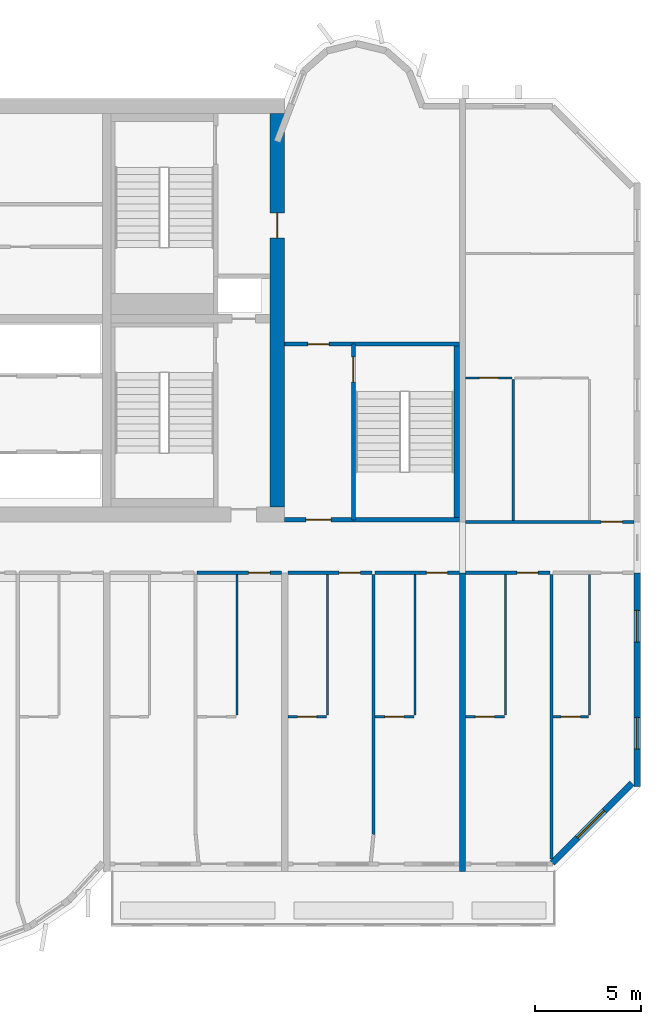
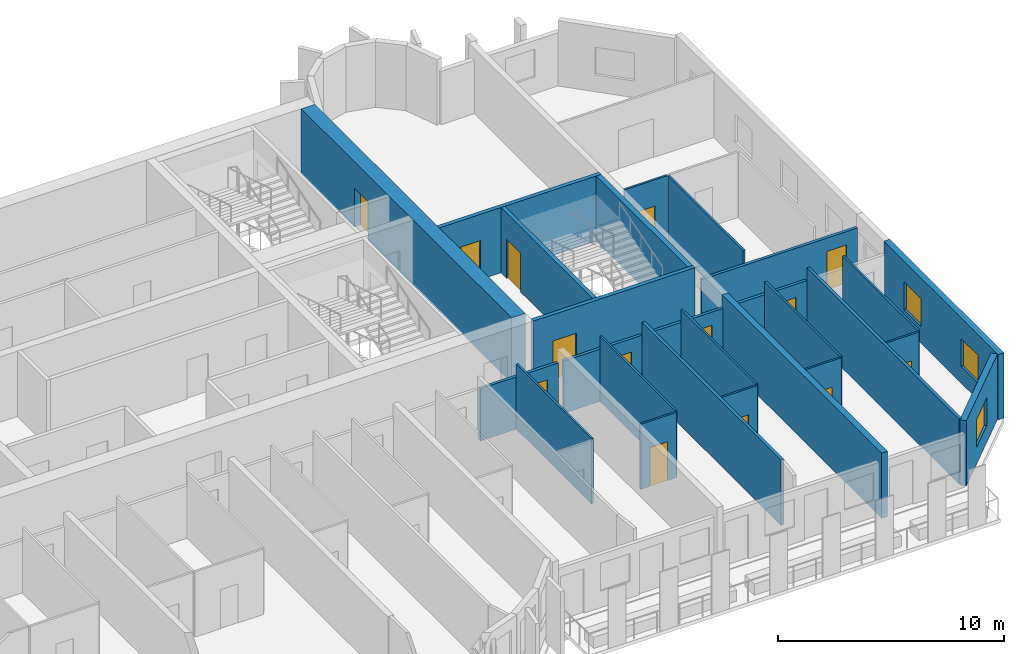
# One storey, part 8 of 13: 26 walls, 14 doors, 3 windows, 17 openings.
"""IFC4 building model written with IfcOpenShell, lengths in metres."""

from ifc_helpers import new_model, si_unit, direction, frame, frame_2d, origin, place, context, subcontext, project, spatial, rectangle, extrude, source, transform, mapped, material, layer, layer_set, type_object, element, fill, save


model = new_model("IFC4")

# Units and contexts
model_context = context("Model", 3, precision=1e-05, world=origin(), true_north=direction((0.0, 1.0)))
body_context = subcontext(model_context, "Body", "Model", "MODEL_VIEW")
ifc_project = project(units=[si_unit("LENGTHUNIT", "METRE"), si_unit("AREAUNIT", "SQUARE_METRE"), si_unit("VOLUMEUNIT", "CUBIC_METRE"), si_unit("PLANEANGLEUNIT", "RADIAN"), si_unit("MASSUNIT", "GRAM", prefix="KILO")], contexts=[model_context])

# Site, building, storey
site_placement = place(None, origin())
site = spatial("IfcSite", under=ifc_project, at=site_placement, CompositionType="ELEMENT")
building_placement = place(site_placement, origin())
building = spatial("IfcBuilding", under=site, at=building_placement, Name="Vanashikhar Sky Hotel", CompositionType="ELEMENT")
storey_placement = place(building_placement, frame((0.0, 0.0, 197.199951171875)))
storey = spatial("IfcBuildingStorey", under=building, at=storey_placement, Name="L48", CompositionType="ELEMENT", Elevation=197.199951171875)

# Wall, opening, door
ifc_material_1 = material(Name="Concrete M60", Category="concrete")
ifc_layer_1 = layer(ifc_material_1, 0.699951171875)
ifc_layer_set_1 = layer_set([ifc_layer_1], Name="RC core shell wall 700 Concrete M60")
wall_type_1 = type_object("IfcWallType", Name="RC core shell wall 700 Concrete M60", PredefinedType="SHEAR", material=ifc_layer_set_1)
shared_shape_1 = source(origin(), body_context, "Body", "SweptSolid", [
    extrude(rectangle(XDim=18.60009765625, YDim=0.699951171875, at=frame_2d((9.300048828125, 0.0))), origin(), (0.0, 0.0, 1.0), 3.52001953125),
])
wall_1_placement = place(storey_placement, frame((75.25, 22.699951171875, 0.0), z_axis=(0.0, 0.0, 1.0), x_axis=(0.0, 1.0, 0.0)))
wall_1 = element("IfcWall", 1, at=wall_1_placement, inside=storey, type_object=wall_type_1, Name="KW-L48-KE", PredefinedType="SHEAR", context=body_context, shape_type="MappedRepresentation", body=[
    mapped(shared_shape_1, transform((0.0, 0.0, 0.0), scale=1.0)),
])
shared_shape_2 = source(origin(), body_context, "Body", "SweptSolid", [
    extrude(rectangle(XDim=1.199951171875, YDim=2.10009765625, at=frame_2d((0.60009765625, 1.050048828125))), frame((0.0, 0.35986328125, 0.0), z_axis=(0.0, -1.0, 0.0), x_axis=(1.0, 0.0, 0.0)), (0.0, 0.0, 1.0), 0.719970703125),
])
opening_1_placement = place(wall_1_placement, frame((12.699951171875, 0.0, 0.0)))
opening_1 = element("IfcOpeningElement", 2, at=opening_1_placement, cuts=wall_1, Name="Opening DC-4-D", PredefinedType="OPENING", context=body_context, shape_type="MappedRepresentation", body=[
    mapped(shared_shape_2, transform((0.0, 0.0, 0.0), scale=1.0)),
])
ifc_material_2 = material(Name="Steel", Category="steel")
door_type_1 = type_object("IfcDoorType", Name="Service door 1200 FD120", OperationType="NOTDEFINED", PredefinedType="DOOR", material=ifc_material_2)
shared_shape_3 = source(origin(), body_context, "Body", "SweptSolid", [
    extrude(rectangle(XDim=1.199951171875, YDim=2.10009765625, at=frame_2d((0.60009765625, 1.050048828125))), frame((0.0, 0.02490234375, 0.0), z_axis=(0.0, -1.0, 0.0), x_axis=(1.0, 0.0, 0.0)), (0.0, 0.0, 1.0), 0.050048828125),
])
door_1_placement = place(opening_1_placement, origin())
door_1 = element("IfcDoor", 3, at=door_1_placement, inside=storey, type_object=door_type_1, Name="Service door 1200 FD120", OperationType="SINGLE_SWING_RIGHT", OverallHeight=2.10009765625, OverallWidth=1.199951171875, PredefinedType="DOOR", context=body_context, shape_type="MappedRepresentation", body=[
    mapped(shared_shape_3, transform((0.0, 0.0, 0.0), scale=1.0)),
])
fill(opening_1, door_1)

# Wall, openings, windows
ifc_layer_2 = layer(ifc_material_1, 0.300048828125)
ifc_layer_set_2 = layer_set([ifc_layer_2], Name="RC shear wall 300 Concrete M60")
wall_type_2 = type_object("IfcWallType", Name="RC shear wall 300 Concrete M60", PredefinedType="SHEAR", material=ifc_layer_set_2)
shared_shape_4 = source(origin(), body_context, "Body", "SweptSolid", [
    extrude(rectangle(XDim=10.10009765625, YDim=0.300048828125, at=frame_2d((5.050048828125, 0.0))), origin(), (0.0, 0.0, 1.0), 3.52001953125),
])
wall_2_placement = place(storey_placement, frame((92.25, 9.5, 0.0), z_axis=(0.0, 0.0, 1.0), x_axis=(0.0, 1.0, 0.0)))
wall_2 = element("IfcWall", 4, at=wall_2_placement, inside=storey, type_object=wall_type_2, Name="CW-L48-XW12-1", PredefinedType="SHEAR", context=body_context, shape_type="MappedRepresentation", body=[
    mapped(shared_shape_4, transform((0.0, 0.0, 0.0), scale=1.0)),
])
shared_shape_5 = source(origin(), body_context, "Body", "SweptSolid", [
    extrude(rectangle(XDim=1.5, YDim=1.5, at=frame_2d((0.75, 0.75))), frame((0.0, 0.16015625, 0.0), z_axis=(0.0, -1.0, 0.0), x_axis=(1.0, 0.0, 0.0)), (0.0, 0.0, 1.0), 0.320068359375),
])
opening_2_placement = place(wall_2_placement, frame((1.77490234375, 0.0, 0.89990234375)))
opening_2 = element("IfcOpeningElement", 5, at=opening_2_placement, cuts=wall_2, Name="Opening WN-1", PredefinedType="OPENING", context=body_context, shape_type="MappedRepresentation", body=[
    mapped(shared_shape_5, transform((0.0, 0.0, 0.0), scale=1.0)),
])
opening_3_placement = place(wall_2_placement, frame((6.824951171875, 0.0, 0.89990234375)))
opening_3 = element("IfcOpeningElement", 6, at=opening_3_placement, cuts=wall_2, Name="Opening WN-1", PredefinedType="OPENING", context=body_context, shape_type="MappedRepresentation", body=[
    mapped(shared_shape_5, transform((0.0, 0.0, 0.0), scale=1.0)),
])
ifc_material_3 = material(Name="Glass", Category="glass")
window_type_1 = type_object("IfcWindowType", Name="Window 1500 x 1500", PartitioningType="SINGLE_PANEL", PredefinedType="WINDOW", material=ifc_material_3)
shared_shape_6 = source(origin(), body_context, "Body", "SweptSolid", [
    extrude(rectangle(XDim=1.5, YDim=1.5, at=frame_2d((0.75, 0.75))), frame((0.0, 0.030029296875, 0.0), z_axis=(0.0, -1.0, 0.0), x_axis=(1.0, 0.0, 0.0)), (0.0, 0.0, 1.0), 0.06005859375),
])
window_1_placement = place(opening_2_placement, origin())
window_1 = element("IfcWindow", 7, at=window_1_placement, inside=storey, type_object=window_type_1, Name="Window WN-1", OverallHeight=1.5, OverallWidth=1.5, PartitioningType="SINGLE_PANEL", PredefinedType="WINDOW", context=body_context, shape_type="MappedRepresentation", body=[
    mapped(shared_shape_6, transform((0.0, 0.0, 0.0), scale=1.0)),
])
fill(opening_2, window_1)
window_2_placement = place(opening_3_placement, origin())
window_2 = element("IfcWindow", 8, at=window_2_placement, inside=storey, type_object=window_type_1, Name="Window WN-1", OverallHeight=1.5, OverallWidth=1.5, PartitioningType="SINGLE_PANEL", PredefinedType="WINDOW", context=body_context, shape_type="MappedRepresentation", body=[
    mapped(shared_shape_6, transform((0.0, 0.0, 0.0), scale=1.0)),
])
fill(opening_3, window_2)

# Wall
shared_shape_7 = source(origin(), body_context, "Body", "SweptSolid", [
    extrude(rectangle(XDim=14.10009765625, YDim=0.300048828125, at=frame_2d((7.050048828125, 0.0))), origin(), (0.0, 0.0, 1.0), 3.52001953125),
])
wall_3_placement = place(storey_placement, frame((84.0, 5.5, 0.0), z_axis=(0.0, 0.0, 1.0), x_axis=(0.0, 1.0, 0.0)))
element("IfcWall", 9, at=wall_3_placement, inside=storey, type_object=wall_type_2, Name="CW-L48-XW11-1", PredefinedType="SHEAR", context=body_context, shape_type="MappedRepresentation", body=[
    mapped(shared_shape_7, transform((0.0, 0.0, 0.0), scale=1.0)),
])

# Wall, opening, window
ifc_material_4 = material(Name="Concrete M50", Category="concrete")
ifc_layer_3 = layer(ifc_material_4, 0.300048828125)
ifc_layer_set_3 = layer_set([ifc_layer_3], Name="Lobe wall 300")
wall_type_3 = type_object("IfcWallType", Name="Lobe wall 300", PredefinedType="SOLIDWALL", material=ifc_layer_set_3)
shared_shape_8 = source(origin(), body_context, "Body", "SweptSolid", [
    extrude(rectangle(XDim=5.32568359375, YDim=0.300048828125, at=frame_2d((2.662841796875, 0.0))), origin(), (0.0, 0.0, 1.0), 3.52001953125),
])
wall_4_placement = place(storey_placement, frame((88.234375, 5.89990234375, 0.0), z_axis=(0.0, 0.0, 1.0), x_axis=(0.707083859269, 0.707129702361, 0.0)))
wall_4 = element("IfcWall", 10, at=wall_4_placement, inside=storey, type_object=wall_type_3, Name="Corner wall", PredefinedType="SOLIDWALL", context=body_context, shape_type="MappedRepresentation", body=[
    mapped(shared_shape_8, transform((0.0, 0.0, 0.0), scale=1.0)),
])
shared_shape_9 = source(origin(), body_context, "Body", "SweptSolid", [
    extrude(rectangle(XDim=1.800048828125, YDim=1.5, at=frame_2d((0.89990234375, 0.75))), frame((0.0, 0.16015625, 0.0), z_axis=(0.0, -1.0, 0.0), x_axis=(1.0, 0.0, 0.0)), (0.0, 0.0, 1.0), 0.320068359375),
])
opening_4_placement = place(wall_4_placement, frame((1.689453125, 0.0, 0.89990234375)))
opening_4 = element("IfcOpeningElement", 11, at=opening_4_placement, cuts=wall_4, Name="Opening WN-4", PredefinedType="OPENING", context=body_context, shape_type="MappedRepresentation", body=[
    mapped(shared_shape_9, transform((0.0, 0.0, 0.0), scale=1.0)),
])
window_type_2 = type_object("IfcWindowType", Name="Corner window 1800 x 1500", PartitioningType="SINGLE_PANEL", PredefinedType="WINDOW", material=ifc_material_3)
shared_shape_10 = source(origin(), body_context, "Body", "SweptSolid", [
    extrude(rectangle(XDim=1.800048828125, YDim=1.5, at=frame_2d((0.89990234375, 0.75))), frame((0.0, 0.030029296875, 0.0), z_axis=(0.0, -1.0, 0.0), x_axis=(1.0, 0.0, 0.0)), (0.0, 0.0, 1.0), 0.06005859375),
])
window_3_placement = place(opening_4_placement, origin())
window_3 = element("IfcWindow", 12, at=window_3_placement, inside=storey, type_object=window_type_2, Name="Window WN-4", OverallHeight=1.5, OverallWidth=1.800048828125, PartitioningType="SINGLE_PANEL", PredefinedType="WINDOW", context=body_context, shape_type="MappedRepresentation", body=[
    mapped(shared_shape_10, transform((0.0, 0.0, 0.0), scale=1.0)),
])
fill(opening_4, window_3)

# Wall, opening, door
ifc_layer_4 = layer(ifc_material_4, 0.199951171875)
ifc_layer_set_4 = layer_set([ifc_layer_4], Name="Stair wall 200")
wall_type_4 = type_object("IfcWallType", Name="Stair wall 200", PredefinedType="SOLIDWALL", material=ifc_layer_set_4)
shared_shape_11 = source(origin(), body_context, "Body", "SweptSolid", [
    extrude(rectangle(XDim=8.2998046875, YDim=0.199951171875, at=frame_2d((4.14990234375, 0.0))), origin(), (0.0, 0.0, 1.0), 3.52001953125),
])
wall_5_placement = place(storey_placement, frame((78.85009765625, 22.10009765625, 0.0), z_axis=(0.0, 0.0, 1.0), x_axis=(0.0, 1.0, 0.0)))
wall_5 = element("IfcWall", 13, at=wall_5_placement, inside=storey, type_object=wall_type_4, Name="Stair wall 200", PredefinedType="SOLIDWALL", context=body_context, shape_type="MappedRepresentation", body=[
    mapped(shared_shape_11, transform((0.0, 0.0, 0.0), scale=1.0)),
])
shared_shape_12 = source(origin(), body_context, "Body", "SweptSolid", [
    extrude(rectangle(XDim=1.199951171875, YDim=2.10009765625, at=frame_2d((0.60009765625, 1.050048828125))), frame((0.0, 0.10986328125, 0.0), z_axis=(0.0, -1.0, 0.0), x_axis=(1.0, 0.0, 0.0)), (0.0, 0.0, 1.0), 0.219970703125),
])
opening_5_placement = place(wall_5_placement, frame((6.5, 0.0, 0.0)))
opening_5 = element("IfcOpeningElement", 14, at=opening_5_placement, cuts=wall_5, Name="Opening DC-1", PredefinedType="OPENING", context=body_context, shape_type="MappedRepresentation", body=[
    mapped(shared_shape_12, transform((0.0, 0.0, 0.0), scale=1.0)),
])
door_type_2 = type_object("IfcDoorType", Name="Stair door 1200 FD120", OperationType="NOTDEFINED", PredefinedType="DOOR", material=ifc_material_2)
door_2_placement = place(opening_5_placement, origin())
door_2 = element("IfcDoor", 15, at=door_2_placement, inside=storey, type_object=door_type_2, Name="Stair door 1200 FD120", OperationType="SINGLE_SWING_RIGHT", OverallHeight=2.10009765625, OverallWidth=1.199951171875, PredefinedType="DOOR", context=body_context, shape_type="MappedRepresentation", body=[
    mapped(shared_shape_3, transform((0.0, 0.0, 0.0), scale=1.0)),
])
fill(opening_5, door_2)

shared_shape_13 = source(origin(), body_context, "Body", "SweptSolid", [
    extrude(rectangle(XDim=8.25, YDim=0.199951171875, at=frame_2d((4.125, 0.0))), origin(), (0.0, 0.0, 1.0), 3.52001953125),
])
wall_6_placement = place(storey_placement, frame((83.85009765625, 22.10009765625, 0.0), z_axis=(0.0, 0.0, 1.0), x_axis=(-1.0, 0.0, 0.0)))
wall_6 = element("IfcWall", 16, at=wall_6_placement, inside=storey, type_object=wall_type_4, Name="Stair wall 200", PredefinedType="SOLIDWALL", context=body_context, shape_type="MappedRepresentation", body=[
    mapped(shared_shape_13, transform((0.0, 0.0, 0.0), scale=1.0)),
])
opening_6_placement = place(wall_6_placement, frame((6.050048828125, 0.0, 0.0)))
opening_6 = element("IfcOpeningElement", 17, at=opening_6_placement, cuts=wall_6, Name="Opening DC-2", PredefinedType="OPENING", context=body_context, shape_type="MappedRepresentation", body=[
    mapped(shared_shape_12, transform((0.0, 0.0, 0.0), scale=1.0)),
])
door_type_3 = type_object("IfcDoorType", Name="Firefighting lobby door 1200 FD120", OperationType="NOTDEFINED", PredefinedType="DOOR", material=ifc_material_2)
door_3_placement = place(opening_6_placement, origin())
door_3 = element("IfcDoor", 18, at=door_3_placement, inside=storey, type_object=door_type_3, Name="Firefighting lobby door 1200 FD120", OperationType="SINGLE_SWING_RIGHT", OverallHeight=2.10009765625, OverallWidth=1.199951171875, PredefinedType="DOOR", context=body_context, shape_type="MappedRepresentation", body=[
    mapped(shared_shape_3, transform((0.0, 0.0, 0.0), scale=1.0)),
])
fill(opening_6, door_3)

wall_7_placement = place(storey_placement, frame((83.85009765625, 30.39990234375, 0.0), z_axis=(0.0, 0.0, 1.0), x_axis=(-1.0, 0.0, 0.0)))
wall_7 = element("IfcWall", 19, at=wall_7_placement, inside=storey, type_object=wall_type_4, Name="Stair wall 200", PredefinedType="SOLIDWALL", context=body_context, shape_type="MappedRepresentation", body=[
    mapped(shared_shape_13, transform((0.0, 0.0, 0.0), scale=1.0)),
])
shared_shape_14 = source(origin(), body_context, "Body", "SweptSolid", [
    extrude(rectangle(XDim=1.0, YDim=2.10009765625, at=frame_2d((0.5, 1.050048828125))), frame((0.0, 0.10986328125, 0.0), z_axis=(0.0, -1.0, 0.0), x_axis=(1.0, 0.0, 0.0)), (0.0, 0.0, 1.0), 0.219970703125),
])
opening_7_placement = place(wall_7_placement, frame((6.14990234375, 0.0, 0.0)))
opening_7 = element("IfcOpeningElement", 20, at=opening_7_placement, cuts=wall_7, Name="Opening DC-6", PredefinedType="OPENING", context=body_context, shape_type="MappedRepresentation", body=[
    mapped(shared_shape_14, transform((0.0, 0.0, 0.0), scale=1.0)),
])
door_type_4 = type_object("IfcDoorType", Name="Pocket door 1000 FD60", OperationType="NOTDEFINED", PredefinedType="DOOR", material=ifc_material_2)
shared_shape_15 = source(origin(), body_context, "Body", "SweptSolid", [
    extrude(rectangle(XDim=1.0, YDim=2.10009765625, at=frame_2d((0.5, 1.050048828125))), frame((0.0, 0.02490234375, 0.0), z_axis=(0.0, -1.0, 0.0), x_axis=(1.0, 0.0, 0.0)), (0.0, 0.0, 1.0), 0.050048828125),
])
door_4_placement = place(opening_7_placement, origin())
door_4 = element("IfcDoor", 21, at=door_4_placement, inside=storey, type_object=door_type_4, Name="Pocket door 1000 FD60", OperationType="SINGLE_SWING_RIGHT", OverallHeight=2.10009765625, OverallWidth=1.0, PredefinedType="DOOR", context=body_context, shape_type="MappedRepresentation", body=[
    mapped(shared_shape_15, transform((0.0, 0.0, 0.0), scale=1.0)),
])
fill(opening_7, door_4)

# Wall
ifc_layer_5 = layer(ifc_material_4, 0.25)
ifc_layer_set_5 = layer_set([ifc_layer_5], Name="Stair infill wall 250")
wall_type_5 = type_object("IfcWallType", Name="Stair infill wall 250", PredefinedType="SOLIDWALL", material=ifc_layer_set_5)
shared_shape_16 = source(origin(), body_context, "Body", "SweptSolid", [
    extrude(rectangle(XDim=8.10009765625, YDim=0.25, at=frame_2d((4.050048828125, 0.0))), origin(), (0.0, 0.0, 1.0), 3.52001953125),
])
wall_8_placement = place(storey_placement, frame((83.72509765625, 22.199951171875, 0.0), z_axis=(0.0, 0.0, 1.0), x_axis=(0.0, 1.0, 0.0)))
element("IfcWall", 22, at=wall_8_placement, inside=storey, type_object=wall_type_5, Name="Stair infill wall 250", PredefinedType="SOLIDWALL", context=body_context, shape_type="MappedRepresentation", body=[
    mapped(shared_shape_16, transform((0.0, 0.0, 0.0), scale=1.0)),
])

# Wall, opening, door
ifc_material_5 = material(Name="Gypsum plasterboard partition")
ifc_layer_6 = layer(ifc_material_5, 0.10009765625)
ifc_layer_set_6 = layer_set([ifc_layer_6], Name="Wet room partition 100")
wall_type_6 = type_object("IfcWallType", Name="Wet room partition 100", PredefinedType="PARTITIONING", material=ifc_layer_set_6)
shared_shape_17 = source(origin(), body_context, "Body", "SweptSolid", [
    extrude(rectangle(XDim=1.824951171875, YDim=0.10009765625, at=frame_2d((0.91259765625, 0.0))), origin(), (0.0, 0.0, 1.0), 3.52001953125),
])
wall_9_placement = place(storey_placement, frame((75.75, 12.800048828125, 0.0), z_axis=(0.0, 0.0, 1.0), x_axis=(1.0, 0.0, 0.0)))
wall_9 = element("IfcWall", 23, at=wall_9_placement, inside=storey, type_object=wall_type_6, Name="W-L48-PW038", PredefinedType="PARTITIONING", context=body_context, shape_type="MappedRepresentation", body=[
    mapped(shared_shape_17, transform((0.0, 0.0, 0.0), scale=1.0)),
])
shared_shape_18 = source(origin(), body_context, "Body", "SweptSolid", [
    extrude(rectangle(XDim=0.89990234375, YDim=2.10009765625, at=frame_2d((0.449951171875, 1.050048828125))), frame((0.0, 0.06005859375, 0.0), z_axis=(0.0, -1.0, 0.0), x_axis=(1.0, 0.0, 0.0)), (0.0, 0.0, 1.0), 0.1201171875),
])
opening_8_placement = place(wall_9_placement, frame((0.4619140625, 0.0, 0.0)))
opening_8 = element("IfcOpeningElement", 24, at=opening_8_placement, cuts=wall_9, Name="Opening D-02", PredefinedType="OPENING", context=body_context, shape_type="MappedRepresentation", body=[
    mapped(shared_shape_18, transform((0.0, 0.0, 0.0), scale=1.0)),
])
ifc_material_6 = material(Name="Timber door", Category="wood")
door_type_5 = type_object("IfcDoorType", Name="Internal door 900", OperationType="NOTDEFINED", PredefinedType="DOOR", material=ifc_material_6)
shared_shape_19 = source(origin(), body_context, "Body", "SweptSolid", [
    extrude(rectangle(XDim=0.89990234375, YDim=2.10009765625, at=frame_2d((0.449951171875, 1.050048828125))), frame((0.0, 0.02490234375, 0.0), z_axis=(0.0, -1.0, 0.0), x_axis=(1.0, 0.0, 0.0)), (0.0, 0.0, 1.0), 0.050048828125),
])
door_5_placement = place(opening_8_placement, origin())
door_5 = element("IfcDoor", 25, at=door_5_placement, inside=storey, type_object=door_type_5, Name="D-L48-023", OperationType="SINGLE_SWING_RIGHT", OverallHeight=2.10009765625, OverallWidth=0.89990234375, PredefinedType="DOOR", context=body_context, shape_type="MappedRepresentation", body=[
    mapped(shared_shape_19, transform((0.0, 0.0, 0.0), scale=1.0)),
])
fill(opening_8, door_5)

wall_10_placement = place(storey_placement, frame((79.875, 12.800048828125, 0.0), z_axis=(0.0, 0.0, 1.0), x_axis=(1.0, 0.0, 0.0)))
wall_10 = element("IfcWall", 26, at=wall_10_placement, inside=storey, type_object=wall_type_6, Name="W-L48-PW041", PredefinedType="PARTITIONING", context=body_context, shape_type="MappedRepresentation", body=[
    mapped(shared_shape_17, transform((0.0, 0.0, 0.0), scale=1.0)),
])
opening_9_placement = place(wall_10_placement, frame((0.4619140625, 0.0, 0.0)))
opening_9 = element("IfcOpeningElement", 27, at=opening_9_placement, cuts=wall_10, Name="Opening D-02", PredefinedType="OPENING", context=body_context, shape_type="MappedRepresentation", body=[
    mapped(shared_shape_18, transform((0.0, 0.0, 0.0), scale=1.0)),
])
door_6_placement = place(opening_9_placement, origin())
door_6 = element("IfcDoor", 28, at=door_6_placement, inside=storey, type_object=door_type_5, Name="D-L48-025", OperationType="SINGLE_SWING_RIGHT", OverallHeight=2.10009765625, OverallWidth=0.89990234375, PredefinedType="DOOR", context=body_context, shape_type="MappedRepresentation", body=[
    mapped(shared_shape_19, transform((0.0, 0.0, 0.0), scale=1.0)),
])
fill(opening_9, door_6)

ifc_layer_7 = layer(ifc_material_5, 0.14990234375)
ifc_layer_set_7 = layer_set([ifc_layer_7], Name="Corridor and demising partition 150")
wall_type_7 = type_object("IfcWallType", Name="Corridor and demising partition 150", PredefinedType="PARTITIONING", material=ifc_layer_set_7)
shared_shape_20 = source(origin(), body_context, "Body", "SweptSolid", [
    extrude(rectangle(XDim=7.9501953125, YDim=0.14990234375, at=frame_2d((3.97509765625, 0.0))), origin(), (0.0, 0.0, 1.0), 2.820068359375),
])
wall_11_placement = place(storey_placement, frame((84.14990234375, 22.0, 0.0), z_axis=(0.0, 0.0, 1.0), x_axis=(1.0, 0.0, 0.0)))
wall_11 = element("IfcWall", 29, at=wall_11_placement, inside=storey, type_object=wall_type_7, Name="W-L48-PW063", PredefinedType="PARTITIONING", context=body_context, shape_type="MappedRepresentation", body=[
    mapped(shared_shape_20, transform((0.0, 0.0, 0.0), scale=1.0)),
])
shared_shape_21 = source(origin(), body_context, "Body", "SweptSolid", [
    extrude(rectangle(XDim=1.0, YDim=2.10009765625, at=frame_2d((0.5, 1.050048828125))), frame((0.0, 0.0849609375, 0.0), z_axis=(0.0, -1.0, 0.0), x_axis=(1.0, 0.0, 0.0)), (0.0, 0.0, 1.0), 0.169921875),
])
opening_10_placement = place(wall_11_placement, frame((6.39990234375, 0.0, 0.0)))
opening_10 = element("IfcOpeningElement", 30, at=opening_10_placement, cuts=wall_11, Name="Opening D-01", PredefinedType="OPENING", context=body_context, shape_type="MappedRepresentation", body=[
    mapped(shared_shape_21, transform((0.0, 0.0, 0.0), scale=1.0)),
])
ifc_material_7 = material(Name="Timber fire door", Category="wood")
door_type_6 = type_object("IfcDoorType", Name="Guest entry door 1000 FD30S", OperationType="NOTDEFINED", PredefinedType="DOOR", material=ifc_material_7)
door_7_placement = place(opening_10_placement, origin())
door_7 = element("IfcDoor", 31, at=door_7_placement, inside=storey, type_object=door_type_6, Name="D-L48-037", OperationType="SINGLE_SWING_RIGHT", OverallHeight=2.10009765625, OverallWidth=1.0, PredefinedType="DOOR", context=body_context, shape_type="MappedRepresentation", body=[
    mapped(shared_shape_15, transform((0.0, 0.0, 0.0), scale=1.0)),
])
fill(opening_10, door_7)

# Walls
shared_shape_22 = source(origin(), body_context, "Body", "SweptSolid", [
    extrude(rectangle(XDim=6.64990234375, YDim=0.10009765625, at=frame_2d((3.324951171875, 0.0))), origin(), (0.0, 0.0, 1.0), 3.52001953125),
])
for number, where, z_axis, x_axis, name in (
    (32, (73.35009765625, 12.875, 0.0), (0.0, 0.0, 1.0), (0.0, 1.0, 0.0), "W-L48-PW033"),
    (33, (77.625, 12.875, 0.0), (0.0, 0.0, 1.0), (0.0, 1.0, 0.0), "W-L48-PW037"),
    (34, (81.75, 12.875, 0.0), (0.0, 0.0, 1.0), (0.0, 1.0, 0.0), "W-L48-PW040"),
    (35, (86.02490234375, 12.875, 0.0), (0.0, 0.0, 1.0), (0.0, 1.0, 0.0), "W-L48-PW044"),
    (36, (90.0, 12.875, 0.0), (0.0, 0.0, 1.0), (0.0, 1.0, 0.0), "W-L48-PW047"),
):
    element("IfcWall", number, at=place(storey_placement, frame(where, z_axis=z_axis, x_axis=x_axis)), inside=storey, type_object=wall_type_6, Name=name, PredefinedType="PARTITIONING", context=body_context, shape_type="MappedRepresentation", body=[
        mapped(shared_shape_22, transform((0.0, 0.0, 0.0), scale=1.0)),
    ])
shared_shape_23 = source(origin(), body_context, "Body", "SweptSolid", [
    extrude(rectangle(XDim=6.650146484375, YDim=0.10009765625, at=frame_2d((3.3251953125, 0.0))), origin(), (0.0, 0.0, 1.0), 3.52001953125),
])
wall_12_placement = place(storey_placement, frame((86.39990234375, 22.074951171875, 0.0), z_axis=(0.0, 0.0, 1.0), x_axis=(0.0, 1.0, 0.0)))
element("IfcWall", 37, at=wall_12_placement, inside=storey, type_object=wall_type_6, Name="W-L48-PW059", PredefinedType="PARTITIONING", context=body_context, shape_type="MappedRepresentation", body=[
    mapped(shared_shape_23, transform((0.0, 0.0, 0.0), scale=1.0)),
])
shared_shape_24 = source(origin(), body_context, "Body", "SweptSolid", [
    extrude(rectangle(XDim=13.447021484375, YDim=0.14990234375, at=frame_2d((6.7236328125, 0.0))), origin(), (0.0, 0.0, 1.0), 3.52001953125),
])
wall_13_placement = place(storey_placement, frame((88.199951171875, 6.077880859375, 0.0), z_axis=(0.0, 0.0, 1.0), x_axis=(0.0, 1.0, 0.0)))
element("IfcWall", 38, at=wall_13_placement, inside=storey, type_object=wall_type_7, Name="W-L48-PW050", PredefinedType="PARTITIONING", context=body_context, shape_type="MappedRepresentation", body=[
    mapped(shared_shape_24, transform((0.0, 0.0, 0.0), scale=1.0)),
])
shared_shape_25 = source(origin(), body_context, "Body", "SweptSolid", [
    extrude(rectangle(XDim=12.27490234375, YDim=0.14990234375, at=frame_2d((6.137451171875, 0.0))), origin(), (0.0, 0.0, 1.0), 3.52001953125),
])
wall_14_placement = place(storey_placement, frame((79.800048828125, 7.25, 0.0), z_axis=(0.0, 0.0, 1.0), x_axis=(0.0, 1.0, 0.0)))
element("IfcWall", 39, at=wall_14_placement, inside=storey, type_object=wall_type_7, Name="W-L48-PW043", PredefinedType="PARTITIONING", context=body_context, shape_type="MappedRepresentation", body=[
    mapped(shared_shape_25, transform((0.0, 0.0, 0.0), scale=1.0)),
])

# Wall, opening, door
shared_shape_26 = source(origin(), body_context, "Body", "SweptSolid", [
    extrude(rectangle(XDim=3.974853515625, YDim=0.14990234375, at=frame_2d((1.9873046875, 0.0))), origin(), (0.0, 0.0, 1.0), 2.820068359375),
])
wall_15_placement = place(storey_placement, frame((71.47509765625, 19.60009765625, 0.0), z_axis=(0.0, 0.0, 1.0), x_axis=(1.0, 0.0, 0.0)))
wall_15 = element("IfcWall", 40, at=wall_15_placement, inside=storey, type_object=wall_type_7, Name="W-L48-PW035", PredefinedType="PARTITIONING", context=body_context, shape_type="MappedRepresentation", body=[
    mapped(shared_shape_26, transform((0.0, 0.0, 0.0), scale=1.0)),
])
opening_11_placement = place(wall_15_placement, frame((2.425048828125, 0.0, 0.0)))
opening_11 = element("IfcOpeningElement", 41, at=opening_11_placement, cuts=wall_15, Name="Opening D-01", PredefinedType="OPENING", context=body_context, shape_type="MappedRepresentation", body=[
    mapped(shared_shape_21, transform((0.0, 0.0, 0.0), scale=1.0)),
])
door_8_placement = place(opening_11_placement, origin())
door_8 = element("IfcDoor", 42, at=door_8_placement, inside=storey, type_object=door_type_6, Name="D-L48-022", OperationType="SINGLE_SWING_RIGHT", OverallHeight=2.10009765625, OverallWidth=1.0, PredefinedType="DOOR", context=body_context, shape_type="MappedRepresentation", body=[
    mapped(shared_shape_15, transform((0.0, 0.0, 0.0), scale=1.0)),
])
fill(opening_11, door_8)

shared_shape_27 = source(origin(), body_context, "Body", "SweptSolid", [
    extrude(rectangle(XDim=3.97509765625, YDim=0.14990234375, at=frame_2d((1.987548828125, 0.0))), origin(), (0.0, 0.0, 1.0), 2.820068359375),
])
wall_16_placement = place(storey_placement, frame((75.75, 19.60009765625, 0.0), z_axis=(0.0, 0.0, 1.0), x_axis=(1.0, 0.0, 0.0)))
wall_16 = element("IfcWall", 43, at=wall_16_placement, inside=storey, type_object=wall_type_7, Name="W-L48-PW039", PredefinedType="PARTITIONING", context=body_context, shape_type="MappedRepresentation", body=[
    mapped(shared_shape_27, transform((0.0, 0.0, 0.0), scale=1.0)),
])
opening_12_placement = place(wall_16_placement, frame((2.425048828125, 0.0, 0.0)))
opening_12 = element("IfcOpeningElement", 44, at=opening_12_placement, cuts=wall_16, Name="Opening D-01", PredefinedType="OPENING", context=body_context, shape_type="MappedRepresentation", body=[
    mapped(shared_shape_21, transform((0.0, 0.0, 0.0), scale=1.0)),
])
door_9_placement = place(opening_12_placement, origin())
door_9 = element("IfcDoor", 45, at=door_9_placement, inside=storey, type_object=door_type_6, Name="D-L48-024", OperationType="SINGLE_SWING_RIGHT", OverallHeight=2.10009765625, OverallWidth=1.0, PredefinedType="DOOR", context=body_context, shape_type="MappedRepresentation", body=[
    mapped(shared_shape_15, transform((0.0, 0.0, 0.0), scale=1.0)),
])
fill(opening_12, door_9)

wall_17_placement = place(storey_placement, frame((79.875, 19.60009765625, 0.0), z_axis=(0.0, 0.0, 1.0), x_axis=(1.0, 0.0, 0.0)))
wall_17 = element("IfcWall", 46, at=wall_17_placement, inside=storey, type_object=wall_type_7, Name="W-L48-PW042", PredefinedType="PARTITIONING", context=body_context, shape_type="MappedRepresentation", body=[
    mapped(shared_shape_27, transform((0.0, 0.0, 0.0), scale=1.0)),
])
opening_13_placement = place(wall_17_placement, frame((2.425048828125, 0.0, 0.0)))
opening_13 = element("IfcOpeningElement", 47, at=opening_13_placement, cuts=wall_17, Name="Opening D-01", PredefinedType="OPENING", context=body_context, shape_type="MappedRepresentation", body=[
    mapped(shared_shape_21, transform((0.0, 0.0, 0.0), scale=1.0)),
])
door_10_placement = place(opening_13_placement, origin())
door_10 = element("IfcDoor", 48, at=door_10_placement, inside=storey, type_object=door_type_6, Name="D-L48-026", OperationType="SINGLE_SWING_RIGHT", OverallHeight=2.10009765625, OverallWidth=1.0, PredefinedType="DOOR", context=body_context, shape_type="MappedRepresentation", body=[
    mapped(shared_shape_15, transform((0.0, 0.0, 0.0), scale=1.0)),
])
fill(opening_13, door_10)

wall_18_placement = place(storey_placement, frame((84.14990234375, 19.60009765625, 0.0), z_axis=(0.0, 0.0, 1.0), x_axis=(1.0, 0.0, 0.0)))
wall_18 = element("IfcWall", 49, at=wall_18_placement, inside=storey, type_object=wall_type_7, Name="W-L48-PW046", PredefinedType="PARTITIONING", context=body_context, shape_type="MappedRepresentation", body=[
    mapped(shared_shape_27, transform((0.0, 0.0, 0.0), scale=1.0)),
])
opening_14_placement = place(wall_18_placement, frame((2.425048828125, 0.0, 0.0)))
opening_14 = element("IfcOpeningElement", 50, at=opening_14_placement, cuts=wall_18, Name="Opening D-01", PredefinedType="OPENING", context=body_context, shape_type="MappedRepresentation", body=[
    mapped(shared_shape_21, transform((0.0, 0.0, 0.0), scale=1.0)),
])
door_11_placement = place(opening_14_placement, origin())
door_11 = element("IfcDoor", 51, at=door_11_placement, inside=storey, type_object=door_type_6, Name="D-L48-028", OperationType="SINGLE_SWING_RIGHT", OverallHeight=2.10009765625, OverallWidth=1.0, PredefinedType="DOOR", context=body_context, shape_type="MappedRepresentation", body=[
    mapped(shared_shape_15, transform((0.0, 0.0, 0.0), scale=1.0)),
])
fill(opening_14, door_11)

shared_shape_28 = source(origin(), body_context, "Body", "SweptSolid", [
    extrude(rectangle(XDim=1.8251953125, YDim=0.10009765625, at=frame_2d((0.91259765625, 0.0))), origin(), (0.0, 0.0, 1.0), 3.52001953125),
])
wall_19_placement = place(storey_placement, frame((84.14990234375, 12.800048828125, 0.0), z_axis=(0.0, 0.0, 1.0), x_axis=(1.0, 0.0, 0.0)))
wall_19 = element("IfcWall", 52, at=wall_19_placement, inside=storey, type_object=wall_type_6, Name="W-L48-PW045", PredefinedType="PARTITIONING", context=body_context, shape_type="MappedRepresentation", body=[
    mapped(shared_shape_28, transform((0.0, 0.0, 0.0), scale=1.0)),
])
opening_15_placement = place(wall_19_placement, frame((0.4619140625, 0.0, 0.0)))
opening_15 = element("IfcOpeningElement", 53, at=opening_15_placement, cuts=wall_19, Name="Opening D-02", PredefinedType="OPENING", context=body_context, shape_type="MappedRepresentation", body=[
    mapped(shared_shape_18, transform((0.0, 0.0, 0.0), scale=1.0)),
])
door_12_placement = place(opening_15_placement, origin())
door_12 = element("IfcDoor", 54, at=door_12_placement, inside=storey, type_object=door_type_5, Name="D-L48-027", OperationType="SINGLE_SWING_RIGHT", OverallHeight=2.10009765625, OverallWidth=0.89990234375, PredefinedType="DOOR", context=body_context, shape_type="MappedRepresentation", body=[
    mapped(shared_shape_19, transform((0.0, 0.0, 0.0), scale=1.0)),
])
fill(opening_15, door_12)

shared_shape_29 = source(origin(), body_context, "Body", "SweptSolid", [
    extrude(rectangle(XDim=1.675048828125, YDim=0.10009765625, at=frame_2d((0.83740234375, 0.0))), origin(), (0.0, 0.0, 1.0), 3.52001953125),
])
wall_20_placement = place(storey_placement, frame((88.27490234375, 12.800048828125, 0.0), z_axis=(0.0, 0.0, 1.0), x_axis=(1.0, 0.0, 0.0)))
wall_20 = element("IfcWall", 55, at=wall_20_placement, inside=storey, type_object=wall_type_6, Name="W-L48-PW048", PredefinedType="PARTITIONING", context=body_context, shape_type="MappedRepresentation", body=[
    mapped(shared_shape_29, transform((0.0, 0.0, 0.0), scale=1.0)),
])
opening_16_placement = place(wall_20_placement, frame((0.387939453125, 0.0, 0.0)))
opening_16 = element("IfcOpeningElement", 56, at=opening_16_placement, cuts=wall_20, Name="Opening D-02", PredefinedType="OPENING", context=body_context, shape_type="MappedRepresentation", body=[
    mapped(shared_shape_18, transform((0.0, 0.0, 0.0), scale=1.0)),
])
door_13_placement = place(opening_16_placement, origin())
door_13 = element("IfcDoor", 57, at=door_13_placement, inside=storey, type_object=door_type_5, Name="D-L48-029", OperationType="SINGLE_SWING_RIGHT", OverallHeight=2.10009765625, OverallWidth=0.89990234375, PredefinedType="DOOR", context=body_context, shape_type="MappedRepresentation", body=[
    mapped(shared_shape_19, transform((0.0, 0.0, 0.0), scale=1.0)),
])
fill(opening_16, door_13)

shared_shape_30 = source(origin(), body_context, "Body", "SweptSolid", [
    extrude(rectangle(XDim=2.2001953125, YDim=0.10009765625, at=frame_2d((1.10009765625, 0.0))), origin(), (0.0, 0.0, 1.0), 3.52001953125),
])
wall_21_placement = place(storey_placement, frame((84.14990234375, 28.800048828125, 0.0), z_axis=(0.0, 0.0, 1.0), x_axis=(1.0, 0.0, 0.0)))
wall_21 = element("IfcWall", 58, at=wall_21_placement, inside=storey, type_object=wall_type_6, Name="W-L48-PW061", PredefinedType="PARTITIONING", context=body_context, shape_type="MappedRepresentation", body=[
    mapped(shared_shape_30, transform((0.0, 0.0, 0.0), scale=1.0)),
])
opening_17_placement = place(wall_21_placement, frame((0.64990234375, 0.0, 0.0)))
opening_17 = element("IfcOpeningElement", 59, at=opening_17_placement, cuts=wall_21, Name="Opening D-02", PredefinedType="OPENING", context=body_context, shape_type="MappedRepresentation", body=[
    mapped(shared_shape_18, transform((0.0, 0.0, 0.0), scale=1.0)),
])
door_14_placement = place(opening_17_placement, origin())
door_14 = element("IfcDoor", 60, at=door_14_placement, inside=storey, type_object=door_type_5, Name="D-L48-035", OperationType="SINGLE_SWING_RIGHT", OverallHeight=2.10009765625, OverallWidth=0.89990234375, PredefinedType="DOOR", context=body_context, shape_type="MappedRepresentation", body=[
    mapped(shared_shape_19, transform((0.0, 0.0, 0.0), scale=1.0)),
])
fill(opening_17, door_14)

save(model, "model.ifc")
